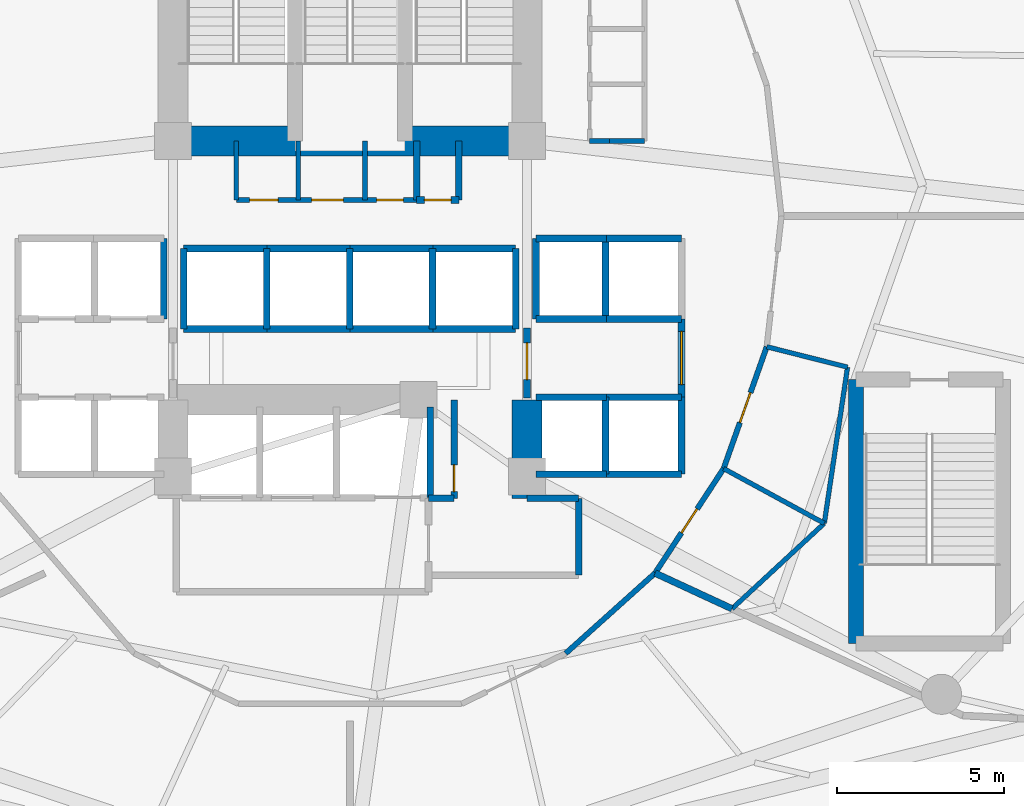
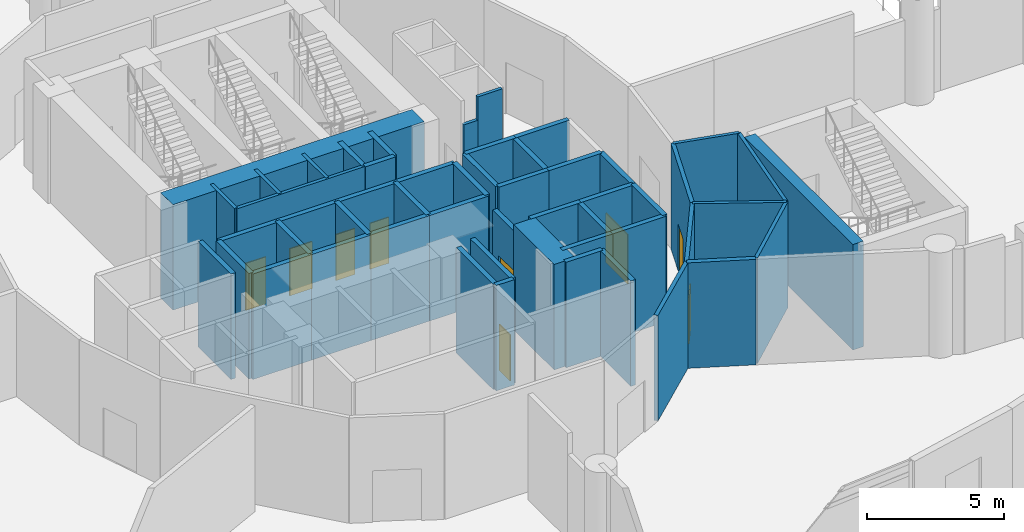
# One storey, part 27 of 37: 53 walls, 9 doors, 9 openings.
"""IFC4 building model written with IfcOpenShell, lengths in metres."""

from ifc_helpers import new_model, si_unit, direction, frame, frame_2d, origin, place, context, subcontext, project, spatial, rectangle, extrude, material, layer, layer_set, type_object, element, fill, save


model = new_model("IFC4")

# Units and contexts
model_context = context("Model", 3, precision=1e-05, world=origin(), true_north=direction((0.0, 1.0)))
body_context = subcontext(model_context, "Body", "Model", "MODEL_VIEW")
ifc_project = project(units=[si_unit("LENGTHUNIT", "METRE"), si_unit("AREAUNIT", "SQUARE_METRE"), si_unit("VOLUMEUNIT", "CUBIC_METRE"), si_unit("PLANEANGLEUNIT", "RADIAN"), si_unit("MASSUNIT", "GRAM", prefix="KILO")], contexts=[model_context])

# Site, building, storey
site_placement = place(None, origin())
site = spatial("IfcSite", under=ifc_project, at=site_placement, CompositionType="ELEMENT")
building_placement = place(site_placement, origin())
building = spatial("IfcBuilding", under=site, at=building_placement, Name="Nuhasar Tower", CompositionType="ELEMENT")
storey_placement = place(building_placement, frame((0.0, 0.0, 6.0)))
storey = spatial("IfcBuildingStorey", under=building, at=storey_placement, Name="L01", CompositionType="ELEMENT", Elevation=6.0)

# Walls
ifc_material_1 = material(Name="Concrete C50/60", Category="concrete")
ifc_layer_1 = layer(ifc_material_1, 0.449951171875)
ifc_layer_set_1 = layer_set([ifc_layer_1], Name="Concrete C50/60")
wall_type_1 = type_object("IfcWallType", Name="WL-CORE-450", PredefinedType="SHEAR", material=ifc_layer_set_1)
wall_1_placement = place(storey_placement, frame((54.14990234375, 14.0, 0.0), z_axis=(0.0, 0.0, 1.0), x_axis=(0.0, 1.0, 0.0)))
element("IfcWall", 1, at=wall_1_placement, inside=storey, type_object=wall_type_1, Name="L01 Stairwell Shear Wall ST-05-W", PredefinedType="SHEAR", context=body_context, shape_type="SweptSolid", body=[
    extrude(rectangle(XDim=7.89990234375, YDim=0.449951171875, at=frame_2d((3.949951171875, 0.0))), origin(), (0.0, 0.0, 1.0), 4.699951171875),
])
ifc_material_2 = material(Name="Concrete C80/95", Category="concrete")
ifc_layer_2 = layer(ifc_material_2, 0.89990234375)
ifc_layer_set_2 = layer_set([ifc_layer_2], Name="Concrete C80/95")
wall_type_2 = type_object("IfcWallType", Name="WL-CORE-900", PredefinedType="SHEAR", material=ifc_layer_set_2)
wall_2_placement = place(storey_placement, frame((44.300048828125, 18.35009765625, 0.0), z_axis=(0.0, 0.0, 1.0), x_axis=(0.0, 1.0, 0.0)))
element("IfcWall", 2, at=wall_2_placement, inside=storey, type_object=wall_type_2, Name="L01 Core Shear Wall CW-SE CW-900", PredefinedType="SHEAR", context=body_context, shape_type="SweptSolid", body=[
    extrude(rectangle(XDim=2.949951171875, YDim=0.89990234375, at=frame_2d((1.47509765625, 0.0))), origin(), (0.0, 0.0, 1.0), 4.699951171875),
])
wall_3_placement = place(storey_placement, frame((33.699951171875, 29.050048828125, 0.0), z_axis=(0.0, 0.0, 1.0), x_axis=(1.0, 0.0, 0.0)))
element("IfcWall", 3, at=wall_3_placement, inside=storey, type_object=wall_type_2, Name="L01 Core Shear Wall CW-N1 CW-900", PredefinedType="SHEAR", context=body_context, shape_type="SweptSolid", body=[
    extrude(rectangle(XDim=10.60009765625, YDim=0.89990234375, at=frame_2d((5.300048828125, 0.0))), origin(), (0.0, 0.0, 1.0), 4.699951171875),
])
ifc_material_3 = material(Name="Gypsum Board", Category="gypsum")
ifc_layer_3 = layer(ifc_material_3, 0.159912109375)
ifc_layer_set_3 = layer_set([ifc_layer_3], Name="Gypsum Board")
wall_type_3 = type_object("IfcWallType", Name="WL-CORR-160", PredefinedType="PARTITIONING", material=ifc_layer_set_3)
wall_4_placement = place(storey_placement, frame((45.4599609375, 13.7060546875, 0.0), z_axis=(0.0, 0.0, 1.0), x_axis=(0.744066617248, 0.668105432621, 0.0)))
element("IfcWall", 4, at=wall_4_placement, inside=storey, type_object=wall_type_3, Name="L01 Interior Partition CORR-40", PredefinedType="PARTITIONING", context=body_context, shape_type="SweptSolid", body=[
    extrude(rectangle(XDim=3.596435546875, YDim=0.159912109375, at=frame_2d((1.79833984375, 0.0))), origin(), (0.0, 0.0, 1.0), 4.699951171875),
])

# Wall, opening, door
wall_5_placement = place(storey_placement, frame((50.18896484375, 19.239990234375, 0.0), z_axis=(0.0, 0.0, 1.0), x_axis=(-0.548318837904, -0.836269365694, 0.0)))
wall_5 = element("IfcWall", 5, at=wall_5_placement, inside=storey, type_object=wall_type_3, Name="L01 Interior Partition CORR-42", PredefinedType="PARTITIONING", context=body_context, shape_type="SweptSolid", body=[
    extrude(rectangle(XDim=3.744140625, YDim=0.159912109375, at=frame_2d((1.8720703125, 0.0))), origin(), (0.0, 0.0, 1.0), 4.699951171875),
])
opening_1_placement = place(wall_5_placement, frame((1.447021484375, 0.0, 0.0)))
opening_1 = element("IfcOpeningElement", 6, at=opening_1_placement, cuts=wall_5, Name="Opening DB-01", PredefinedType="OPENING", context=body_context, shape_type="SweptSolid", body=[
    extrude(rectangle(XDim=0.85009765625, YDim=2.10009765625, at=frame_2d((0.425048828125, 1.050048828125))), frame((0.0, 0.08984375, 0.0), z_axis=(0.0, -1.0, 0.0), x_axis=(1.0, 0.0, 0.0)), (0.0, 0.0, 1.0), 0.179931640625),
])
ifc_material_4 = material(Name="Timber Oak", Category="wood")
door_type_1 = type_object("IfcDoorType", Name="DR-BATH-850", OperationType="NOTDEFINED", PredefinedType="DOOR", material=ifc_material_4)
door_1_placement = place(opening_1_placement, origin())
door_1 = element("IfcDoor", 7, at=door_1_placement, inside=storey, type_object=door_type_1, Name="L01 Galleria Restroom Door", OperationType="SINGLE_SWING_LEFT", OverallHeight=2.10009765625, OverallWidth=0.85009765625, PredefinedType="DOOR", context=body_context, shape_type="SweptSolid", body=[
    extrude(rectangle(XDim=0.85009765625, YDim=2.10009765625, at=frame_2d((0.425048828125, 1.050048828125))), frame((0.0, 0.02490234375, 0.0), z_axis=(0.0, -1.0, 0.0), x_axis=(1.0, 0.0, 0.0)), (0.0, 0.0, 1.0), 0.050048828125),
])
fill(opening_1, door_1)

wall_6_placement = place(storey_placement, frame((51.47998046875, 22.886962890625, 0.0), z_axis=(0.0, 0.0, 1.0), x_axis=(-0.333704620558, -0.942677689467, 0.0)))
wall_6 = element("IfcWall", 8, at=wall_6_placement, inside=storey, type_object=wall_type_3, Name="L01 Interior Partition CORR-44", PredefinedType="PARTITIONING", context=body_context, shape_type="SweptSolid", body=[
    extrude(rectangle(XDim=3.86865234375, YDim=0.159912109375, at=frame_2d((1.934326171875, 0.0))), origin(), (0.0, 0.0, 1.0), 4.699951171875),
])
opening_2_placement = place(wall_6_placement, frame((1.458984375, 0.0, 0.0)))
opening_2 = element("IfcOpeningElement", 9, at=opening_2_placement, cuts=wall_6, Name="Opening DA-01", PredefinedType="OPENING", context=body_context, shape_type="SweptSolid", body=[
    extrude(rectangle(XDim=0.949951171875, YDim=2.10009765625, at=frame_2d((0.47509765625, 1.050048828125))), frame((0.0, 0.08984375, 0.0), z_axis=(0.0, -1.0, 0.0), x_axis=(1.0, 0.0, 0.0)), (0.0, 0.0, 1.0), 0.179931640625),
])
door_type_2 = type_object("IfcDoorType", Name="DR-ACCWC-950", OperationType="NOTDEFINED", PredefinedType="DOOR", material=ifc_material_4)
door_2_placement = place(opening_2_placement, origin())
door_2 = element("IfcDoor", 10, at=door_2_placement, inside=storey, type_object=door_type_2, Name="L01 Galleria Accessible WC Door", OperationType="SINGLE_SWING_RIGHT", OverallHeight=2.10009765625, OverallWidth=0.949951171875, PredefinedType="DOOR", context=body_context, shape_type="SweptSolid", body=[
    extrude(rectangle(XDim=0.949951171875, YDim=2.10009765625, at=frame_2d((0.47509765625, 1.050048828125))), frame((0.0, 0.02490234375, 0.0), z_axis=(0.0, -1.0, 0.0), x_axis=(1.0, 0.0, 0.0)), (0.0, 0.0, 1.0), 0.050048828125),
])
fill(opening_2, door_2)

ifc_material_5 = material(Name="Concrete C45/55", Category="concrete")
ifc_layer_4 = layer(ifc_material_5, 0.199951171875)
ifc_layer_set_4 = layer_set([ifc_layer_4], Name="Concrete C45/55")
wall_type_4 = type_object("IfcWallType", Name="WL-LOBBY-200", PredefinedType="SOLIDWALL", material=ifc_layer_set_4)
wall_7_placement = place(storey_placement, frame((48.929931640625, 21.3798828125, 0.0), z_axis=(0.0, 0.0, 1.0), x_axis=(0.0, 1.0, 0.0)))
wall_7 = element("IfcWall", 11, at=wall_7_placement, inside=storey, type_object=wall_type_4, Name="L01 Interior Partition LLBM-E", PredefinedType="SOLIDWALL", context=body_context, shape_type="SweptSolid", body=[
    extrude(rectangle(XDim=2.340087890625, YDim=0.199951171875, at=frame_2d((1.169921875, 0.0))), origin(), (0.0, 0.0, 1.0), 4.699951171875),
])
opening_3_placement = place(wall_7_placement, frame((0.3701171875, 0.0, 0.0)))
opening_3 = element("IfcOpeningElement", 12, at=opening_3_placement, cuts=wall_7, Name="Opening DC-01", PredefinedType="OPENING", context=body_context, shape_type="SweptSolid", body=[
    extrude(rectangle(XDim=1.60009765625, YDim=2.199951171875, at=frame_2d((0.800048828125, 1.10009765625))), frame((0.0, 0.10986328125, 0.0), z_axis=(0.0, -1.0, 0.0), x_axis=(1.0, 0.0, 0.0)), (0.0, 0.0, 1.0), 0.219970703125),
])
ifc_material_6 = material(Name="Steel S355", Category="steel")
door_type_3 = type_object("IfcDoorType", Name="DR-CORR-FD60-1600", OperationType="DOUBLE_DOOR_SINGLE_SWING", PredefinedType="DOOR", material=ifc_material_6)
door_3_placement = place(opening_3_placement, origin())
door_3 = element("IfcDoor", 13, at=door_3_placement, inside=storey, type_object=door_type_3, Name="L01 Mid-Rise Lift Lobby East Entry", OperationType="DOUBLE_DOOR_SINGLE_SWING", OverallHeight=2.199951171875, OverallWidth=1.60009765625, PredefinedType="DOOR", context=body_context, shape_type="SweptSolid", body=[
    extrude(rectangle(XDim=1.60009765625, YDim=2.199951171875, at=frame_2d((0.800048828125, 1.10009765625))), frame((0.0, 0.02490234375, 0.0), z_axis=(0.0, -1.0, 0.0), x_axis=(1.0, 0.0, 0.0)), (0.0, 0.0, 1.0), 0.050048828125),
])
fill(opening_3, door_3)

wall_8_placement = place(storey_placement, frame((44.300048828125, 21.35009765625, 0.0), z_axis=(0.0, 0.0, 1.0), x_axis=(0.0, 1.0, 0.0)))
wall_8 = element("IfcWall", 14, at=wall_8_placement, inside=storey, type_object=wall_type_4, Name="L01 Interior Partition LLBH-E", PredefinedType="SOLIDWALL", context=body_context, shape_type="SweptSolid", body=[
    extrude(rectangle(XDim=2.099853515625, YDim=0.199951171875, at=frame_2d((1.0498046875, 0.0))), origin(), (0.0, 0.0, 1.0), 3.919921875),
])
opening_4_placement = place(wall_8_placement, frame((0.550048828125, 0.0, 0.0)))
opening_4 = element("IfcOpeningElement", 15, at=opening_4_placement, cuts=wall_8, Name="Opening DS-02", PredefinedType="OPENING", context=body_context, shape_type="SweptSolid", body=[
    extrude(rectangle(XDim=1.10009765625, YDim=2.14990234375, at=frame_2d((0.550048828125, 1.074951171875))), frame((0.0, 0.10986328125, 0.0), z_axis=(0.0, -1.0, 0.0), x_axis=(1.0, 0.0, 0.0)), (0.0, 0.0, 1.0), 0.219970703125),
])
door_type_4 = type_object("IfcDoorType", Name="DR-FFL-FD120-1100", OperationType="NOTDEFINED", PredefinedType="DOOR", material=ifc_material_6)
door_4_placement = place(opening_4_placement, origin())
door_4 = element("IfcDoor", 16, at=door_4_placement, inside=storey, type_object=door_type_4, Name="L01 High-Rise Lobby East Door", OperationType="SINGLE_SWING_RIGHT", OverallHeight=2.14990234375, OverallWidth=1.10009765625, PredefinedType="DOOR", context=body_context, shape_type="SweptSolid", body=[
    extrude(rectangle(XDim=1.10009765625, YDim=2.14990234375, at=frame_2d((0.550048828125, 1.074951171875))), frame((0.0, 0.02490234375, 0.0), z_axis=(0.0, -1.0, 0.0), x_axis=(1.0, 0.0, 0.0)), (0.0, 0.0, 1.0), 0.050048828125),
])
fill(opening_4, door_4)

# Walls
wall_9_placement = place(storey_placement, frame((45.85009765625, 16.050048828125, 0.0), z_axis=(0.0, 0.0, 1.0), x_axis=(0.0, 1.0, 0.0)))
element("IfcWall", 17, at=wall_9_placement, inside=storey, type_object=wall_type_4, Name="L01 Interior Partition SVLV-E", PredefinedType="SOLIDWALL", context=body_context, shape_type="SweptSolid", body=[
    extrude(rectangle(XDim=2.300048828125, YDim=0.199951171875, at=frame_2d((1.14990234375, 0.0))), origin(), (0.0, 0.0, 1.0), 4.699951171875),
])
wall_10_placement = place(storey_placement, frame((44.300048828125, 18.35009765625, 0.0), z_axis=(0.0, 0.0, 1.0), x_axis=(1.0, 0.0, 0.0)))
element("IfcWall", 18, at=wall_10_placement, inside=storey, type_object=wall_type_4, Name="L01 Interior Partition SVLV-N", PredefinedType="SOLIDWALL", context=body_context, shape_type="SweptSolid", body=[
    extrude(rectangle(XDim=1.550048828125, YDim=0.199951171875, at=frame_2d((0.77490234375, 0.0))), origin(), (0.0, 0.0, 1.0), 4.699951171875),
])
ifc_layer_5 = layer(ifc_material_5, 0.199951171875)
ifc_layer_set_5 = layer_set([ifc_layer_5], Name="Concrete C45/55")
wall_type_5 = type_object("IfcWallType", Name="WL-SHAFT-200", PredefinedType="SOLIDWALL", material=ifc_layer_set_5)
for number, where, z_axis, x_axis, name in (
    (19, (41.0, 27.280029296875, 0.0), (0.0, 0.0, 1.0), (0.0, 1.0, 0.0), "L01 Interior Partition RSRN-W"),
    (20, (42.260009765625, 27.280029296875, 0.0), (0.0, 0.0, 1.0), (0.0, 1.0, 0.0), "L01 Interior Partition RSRN-E"),
):
    element("IfcWall", number, at=place(storey_placement, frame(where, z_axis=z_axis, x_axis=x_axis)), inside=storey, type_object=wall_type_5, Name=name, PredefinedType="SOLIDWALL", context=body_context, shape_type="SweptSolid", body=[
        extrude(rectangle(XDim=1.77001953125, YDim=0.199951171875, at=frame_2d((0.885009765625, 0.0))), origin(), (0.0, 0.0, 1.0), 4.699951171875),
    ])

# Wall, opening, door
wall_11_placement = place(storey_placement, frame((41.0, 27.280029296875, 0.0), z_axis=(0.0, 0.0, 1.0), x_axis=(1.0, 0.0, 0.0)))
wall_11 = element("IfcWall", 21, at=wall_11_placement, inside=storey, type_object=wall_type_5, Name="L01 Interior Partition RSRN-S", PredefinedType="SOLIDWALL", context=body_context, shape_type="SweptSolid", body=[
    extrude(rectangle(XDim=1.260009765625, YDim=0.199951171875, at=frame_2d((0.6298828125, 0.0))), origin(), (0.0, 0.0, 1.0), 4.699951171875),
])
opening_5_placement = place(wall_11_placement, frame((0.22998046875, 0.0, 0.0)))
opening_5 = element("IfcOpeningElement", 22, at=opening_5_placement, cuts=wall_11, Name="Opening DM-01", PredefinedType="OPENING", context=body_context, shape_type="SweptSolid", body=[
    extrude(rectangle(XDim=0.800048828125, YDim=2.050048828125, at=frame_2d((0.39990234375, 1.02490234375))), frame((0.0, 0.10986328125, 0.0), z_axis=(0.0, -1.0, 0.0), x_axis=(1.0, 0.0, 0.0)), (0.0, 0.0, 1.0), 0.219970703125),
])
door_type_5 = type_object("IfcDoorType", Name="DR-RISER-FD60-800", OperationType="NOTDEFINED", PredefinedType="DOOR", material=ifc_material_6)
door_5_placement = place(opening_5_placement, origin())
door_5 = element("IfcDoor", 23, at=door_5_placement, inside=storey, type_object=door_type_5, Name="L01 North Smoke Riser Door", OperationType="SINGLE_SWING_RIGHT", OverallHeight=2.050048828125, OverallWidth=0.800048828125, PredefinedType="DOOR", context=body_context, shape_type="SweptSolid", body=[
    extrude(rectangle(XDim=0.800048828125, YDim=2.050048828125, at=frame_2d((0.39990234375, 1.02490234375))), frame((0.0, 0.02490234375, 0.0), z_axis=(0.0, -1.0, 0.0), x_axis=(1.0, 0.0, 0.0)), (0.0, 0.0, 1.0), 0.050048828125),
])
fill(opening_5, door_5)

# Walls
wall_12_placement = place(storey_placement, frame((33.429931640625, 23.719970703125, 0.0), z_axis=(0.0, 0.0, 1.0), x_axis=(0.0, 1.0, 0.0)))
element("IfcWall", 24, at=wall_12_placement, inside=storey, type_object=wall_type_5, Name="L01 Interior Partition SHF-PL-L02-E", PredefinedType="SOLIDWALL", context=body_context, shape_type="SweptSolid", body=[
    extrude(rectangle(XDim=2.409912109375, YDim=0.199951171875, at=frame_2d((1.205078125, 0.0))), origin(), (0.0, 0.0, 1.0), 4.699951171875),
])
for number, where, z_axis, x_axis, name in (
    (25, (44.570068359375, 23.719970703125, 0.0), (0.0, 0.0, 1.0), (1.0, 0.0, 0.0), "L01 Interior Partition SHF-PL-M01-S"),
    (26, (44.570068359375, 26.1298828125, 0.0), (0.0, 0.0, 1.0), (1.0, 0.0, 0.0), "L01 Interior Partition SHF-PL-M01-N"),
):
    element("IfcWall", number, at=place(storey_placement, frame(where, z_axis=z_axis, x_axis=x_axis)), inside=storey, type_object=wall_type_5, Name=name, PredefinedType="SOLIDWALL", context=body_context, shape_type="SweptSolid", body=[
        extrude(rectangle(XDim=2.10986328125, YDim=0.199951171875, at=frame_2d((1.054931640625, 0.0))), origin(), (0.0, 0.0, 1.0), 4.699951171875),
    ])
for number, where, z_axis, x_axis, name in (
    (27, (44.570068359375, 23.719970703125, 0.0), (0.0, 0.0, 1.0), (0.0, 1.0, 0.0), "L01 Interior Partition SHF-PL-M01-W"),
    (28, (46.64990234375, 23.719970703125, 0.0), (0.0, 0.0, 1.0), (0.0, 1.0, 0.0), "L01 Interior Partition SHF-PL-M01-E"),
):
    element("IfcWall", number, at=place(storey_placement, frame(where, z_axis=z_axis, x_axis=x_axis)), inside=storey, type_object=wall_type_5, Name=name, PredefinedType="SOLIDWALL", context=body_context, shape_type="SweptSolid", body=[
        extrude(rectangle(XDim=2.409912109375, YDim=0.199951171875, at=frame_2d((1.205078125, 0.0))), origin(), (0.0, 0.0, 1.0), 4.699951171875),
    ])
for number, where, z_axis, x_axis, name in (
    (29, (46.6201171875, 23.719970703125, 0.0), (0.0, 0.0, 1.0), (1.0, 0.0, 0.0), "L01 Interior Partition SHF-PL-M02-S"),
    (30, (46.6201171875, 26.1298828125, 0.0), (0.0, 0.0, 1.0), (1.0, 0.0, 0.0), "L01 Interior Partition SHF-PL-M02-N"),
):
    element("IfcWall", number, at=place(storey_placement, frame(where, z_axis=z_axis, x_axis=x_axis)), inside=storey, type_object=wall_type_5, Name=name, PredefinedType="SOLIDWALL", context=body_context, shape_type="SweptSolid", body=[
        extrude(rectangle(XDim=2.309814453125, YDim=0.199951171875, at=frame_2d((1.15478515625, 0.0))), origin(), (0.0, 0.0, 1.0), 4.699951171875),
    ])
for number, where, z_axis, x_axis, name in (
    (31, (44.570068359375, 19.070068359375, 0.0), (0.0, 0.0, 1.0), (1.0, 0.0, 0.0), "L01 Interior Partition SHF-PL-M03-S"),
    (32, (44.570068359375, 21.3798828125, 0.0), (0.0, 0.0, 1.0), (1.0, 0.0, 0.0), "L01 Interior Partition SHF-PL-M03-N"),
):
    element("IfcWall", number, at=place(storey_placement, frame(where, z_axis=z_axis, x_axis=x_axis)), inside=storey, type_object=wall_type_5, Name=name, PredefinedType="SOLIDWALL", context=body_context, shape_type="SweptSolid", body=[
        extrude(rectangle(XDim=2.10986328125, YDim=0.199951171875, at=frame_2d((1.054931640625, 0.0))), origin(), (0.0, 0.0, 1.0), 4.699951171875),
    ])
for number, where, z_axis, x_axis, name in (
    (33, (46.64990234375, 19.070068359375, 0.0), (0.0, 0.0, 1.0), (0.0, 1.0, 0.0), "L01 Interior Partition SHF-PL-M03-E"),
    (34, (46.6201171875, 19.070068359375, 0.0), (0.0, 0.0, 1.0), (1.0, 0.0, 0.0), "L01 Interior Partition SHF-PL-M04-S"),
    (35, (46.6201171875, 21.3798828125, 0.0), (0.0, 0.0, 1.0), (1.0, 0.0, 0.0), "L01 Interior Partition SHF-PL-M04-N"),
    (36, (48.929931640625, 19.070068359375, 0.0), (0.0, 0.0, 1.0), (0.0, 1.0, 0.0), "L01 Interior Partition SHF-PL-M04-E"),
):
    element("IfcWall", number, at=place(storey_placement, frame(where, z_axis=z_axis, x_axis=x_axis)), inside=storey, type_object=wall_type_5, Name=name, PredefinedType="SOLIDWALL", context=body_context, shape_type="SweptSolid", body=[
        extrude(rectangle(XDim=2.309814453125, YDim=0.199951171875, at=frame_2d((1.15478515625, 0.0))), origin(), (0.0, 0.0, 1.0), 4.699951171875),
    ])
for number, where, z_axis, x_axis, name in (
    (37, (34.02001953125, 23.419921875, 0.0), (0.0, 0.0, 1.0), (1.0, 0.0, 0.0), "L01 Interior Partition SHF-PL-H01-S"),
    (38, (34.02001953125, 25.830078125, 0.0), (0.0, 0.0, 1.0), (1.0, 0.0, 0.0), "L01 Interior Partition SHF-PL-H01-N"),
):
    element("IfcWall", number, at=place(storey_placement, frame(where, z_axis=z_axis, x_axis=x_axis)), inside=storey, type_object=wall_type_5, Name=name, PredefinedType="SOLIDWALL", context=body_context, shape_type="SweptSolid", body=[
        extrude(rectangle(XDim=2.5, YDim=0.199951171875, at=frame_2d((1.25, 0.0))), origin(), (0.0, 0.0, 1.0), 4.699951171875),
    ])
for number, where, z_axis, x_axis, name in (
    (39, (34.02001953125, 23.419921875, 0.0), (0.0, 0.0, 1.0), (0.0, 1.0, 0.0), "L01 Interior Partition SHF-PL-H01-W"),
    (40, (36.510009765625, 23.419921875, 0.0), (0.0, 0.0, 1.0), (0.0, 1.0, 0.0), "L01 Interior Partition SHF-PL-H01-E"),
):
    element("IfcWall", number, at=place(storey_placement, frame(where, z_axis=z_axis, x_axis=x_axis)), inside=storey, type_object=wall_type_5, Name=name, PredefinedType="SOLIDWALL", context=body_context, shape_type="SweptSolid", body=[
        extrude(rectangle(XDim=2.41015625, YDim=0.199951171875, at=frame_2d((1.205078125, 0.0))), origin(), (0.0, 0.0, 1.0), 4.699951171875),
    ])
for number, where, z_axis, x_axis, name in (
    (41, (36.5, 23.419921875, 0.0), (0.0, 0.0, 1.0), (1.0, 0.0, 0.0), "L01 Interior Partition SHF-PL-H02-S"),
    (42, (36.5, 25.830078125, 0.0), (0.0, 0.0, 1.0), (1.0, 0.0, 0.0), "L01 Interior Partition SHF-PL-H02-N"),
):
    element("IfcWall", number, at=place(storey_placement, frame(where, z_axis=z_axis, x_axis=x_axis)), inside=storey, type_object=wall_type_5, Name=name, PredefinedType="SOLIDWALL", context=body_context, shape_type="SweptSolid", body=[
        extrude(rectangle(XDim=2.5, YDim=0.199951171875, at=frame_2d((1.25, 0.0))), origin(), (0.0, 0.0, 1.0), 4.699951171875),
    ])
wall_13_placement = place(storey_placement, frame((38.989990234375, 23.419921875, 0.0), z_axis=(0.0, 0.0, 1.0), x_axis=(0.0, 1.0, 0.0)))
element("IfcWall", 43, at=wall_13_placement, inside=storey, type_object=wall_type_5, Name="L01 Interior Partition SHF-PL-H02-E", PredefinedType="SOLIDWALL", context=body_context, shape_type="SweptSolid", body=[
    extrude(rectangle(XDim=2.41015625, YDim=0.199951171875, at=frame_2d((1.205078125, 0.0))), origin(), (0.0, 0.0, 1.0), 4.699951171875),
])
for number, where, z_axis, x_axis, name in (
    (44, (38.97998046875, 23.419921875, 0.0), (0.0, 0.0, 1.0), (1.0, 0.0, 0.0), "L01 Interior Partition SHF-PL-H03-S"),
    (45, (38.97998046875, 25.830078125, 0.0), (0.0, 0.0, 1.0), (1.0, 0.0, 0.0), "L01 Interior Partition SHF-PL-H03-N"),
):
    element("IfcWall", number, at=place(storey_placement, frame(where, z_axis=z_axis, x_axis=x_axis)), inside=storey, type_object=wall_type_5, Name=name, PredefinedType="SOLIDWALL", context=body_context, shape_type="SweptSolid", body=[
        extrude(rectangle(XDim=2.5, YDim=0.199951171875, at=frame_2d((1.25, 0.0))), origin(), (0.0, 0.0, 1.0), 4.699951171875),
    ])
wall_14_placement = place(storey_placement, frame((41.469970703125, 23.419921875, 0.0), z_axis=(0.0, 0.0, 1.0), x_axis=(0.0, 1.0, 0.0)))
element("IfcWall", 46, at=wall_14_placement, inside=storey, type_object=wall_type_5, Name="L01 Interior Partition SHF-PL-H03-E", PredefinedType="SOLIDWALL", context=body_context, shape_type="SweptSolid", body=[
    extrude(rectangle(XDim=2.41015625, YDim=0.199951171875, at=frame_2d((1.205078125, 0.0))), origin(), (0.0, 0.0, 1.0), 4.699951171875),
])
for number, where, z_axis, x_axis, name in (
    (47, (41.4599609375, 23.419921875, 0.0), (0.0, 0.0, 1.0), (1.0, 0.0, 0.0), "L01 Interior Partition SHF-PL-H04-S"),
    (48, (41.4599609375, 25.830078125, 0.0), (0.0, 0.0, 1.0), (1.0, 0.0, 0.0), "L01 Interior Partition SHF-PL-H04-N"),
):
    element("IfcWall", number, at=place(storey_placement, frame(where, z_axis=z_axis, x_axis=x_axis)), inside=storey, type_object=wall_type_5, Name=name, PredefinedType="SOLIDWALL", context=body_context, shape_type="SweptSolid", body=[
        extrude(rectangle(XDim=2.5, YDim=0.199951171875, at=frame_2d((1.25, 0.0))), origin(), (0.0, 0.0, 1.0), 4.699951171875),
    ])
wall_15_placement = place(storey_placement, frame((43.9599609375, 23.419921875, 0.0), z_axis=(0.0, 0.0, 1.0), x_axis=(0.0, 1.0, 0.0)))
element("IfcWall", 49, at=wall_15_placement, inside=storey, type_object=wall_type_5, Name="L01 Interior Partition SHF-PL-H04-E", PredefinedType="SOLIDWALL", context=body_context, shape_type="SweptSolid", body=[
    extrude(rectangle(XDim=2.41015625, YDim=0.199951171875, at=frame_2d((1.205078125, 0.0))), origin(), (0.0, 0.0, 1.0), 4.699951171875),
])
wall_16_placement = place(storey_placement, frame((41.39990234375, 18.3701171875, 0.0), z_axis=(0.0, 0.0, 1.0), x_axis=(0.0, 1.0, 0.0)))
element("IfcWall", 50, at=wall_16_placement, inside=storey, type_object=wall_type_5, Name="L01 Interior Partition SHF-SVL-01-E", PredefinedType="SOLIDWALL", context=body_context, shape_type="SweptSolid", body=[
    extrude(rectangle(XDim=2.7099609375, YDim=0.199951171875, at=frame_2d((1.35498046875, 0.0))), origin(), (0.0, 0.0, 1.0), 4.699951171875),
])

# Wall, opening, door
wall_17_placement = place(storey_placement, frame((42.1201171875, 18.35009765625, 0.0), z_axis=(0.0, 0.0, 1.0), x_axis=(0.0, 1.0, 0.0)))
wall_17 = element("IfcWall", 51, at=wall_17_placement, inside=storey, type_object=wall_type_5, Name="L01 Interior Partition RSR-E", PredefinedType="SOLIDWALL", context=body_context, shape_type="SweptSolid", body=[
    extrude(rectangle(XDim=2.949951171875, YDim=0.199951171875, at=frame_2d((1.47509765625, 0.0))), origin(), (0.0, 0.0, 1.0), 4.699951171875),
])
opening_6_placement = place(wall_17_placement, frame((0.199951171875, 0.0, 0.0)))
opening_6 = element("IfcOpeningElement", 52, at=opening_6_placement, cuts=wall_17, Name="Opening DM-01", PredefinedType="OPENING", context=body_context, shape_type="SweptSolid", body=[
    extrude(rectangle(XDim=0.800048828125, YDim=2.050048828125, at=frame_2d((0.39990234375, 1.02490234375))), frame((0.0, 0.10986328125, 0.0), z_axis=(0.0, -1.0, 0.0), x_axis=(1.0, 0.0, 0.0)), (0.0, 0.0, 1.0), 0.219970703125),
])
door_6_placement = place(opening_6_placement, origin())
door_6 = element("IfcDoor", 53, at=door_6_placement, inside=storey, type_object=door_type_5, Name="L01 MEP Riser Access Door", OperationType="SINGLE_SWING_LEFT", OverallHeight=2.050048828125, OverallWidth=0.800048828125, PredefinedType="DOOR", context=body_context, shape_type="SweptSolid", body=[
    extrude(rectangle(XDim=0.800048828125, YDim=2.050048828125, at=frame_2d((0.39990234375, 1.02490234375))), frame((0.0, 0.02490234375, 0.0), z_axis=(0.0, -1.0, 0.0), x_axis=(1.0, 0.0, 0.0)), (0.0, 0.0, 1.0), 0.050048828125),
])
fill(opening_6, door_6)

# Walls
wall_18_placement = place(storey_placement, frame((41.35009765625, 18.35009765625, 0.0), z_axis=(0.0, 0.0, 1.0), x_axis=(1.0, 0.0, 0.0)))
element("IfcWall", 54, at=wall_18_placement, inside=storey, type_object=wall_type_5, Name="L01 Interior Partition RSR-S", PredefinedType="SOLIDWALL", context=body_context, shape_type="SweptSolid", body=[
    extrude(rectangle(XDim=0.77001953125, YDim=0.199951171875, at=frame_2d((0.385009765625, 0.0))), origin(), (0.0, 0.0, 1.0), 4.699951171875),
])
ifc_material_7 = material(Name="Concrete C40/50 precast", Category="concrete")
ifc_layer_6 = layer(ifc_material_7, 0.199951171875)
ifc_layer_set_6 = layer_set([ifc_layer_6], Name="Concrete C40/50 precast")
wall_type_6 = type_object("IfcWallType", Name="WL-UNIT-200", PredefinedType="PARTITIONING", material=ifc_layer_set_6)
wall_19_placement = place(storey_placement, frame((48.135986328125, 16.10888671875, 0.0), z_axis=(0.0, 0.0, 1.0), x_axis=(0.907508335547, -0.420034071133, 0.0)))
element("IfcWall", 55, at=wall_19_placement, inside=storey, type_object=wall_type_6, Name="L01 Interior Partition PRAD-42-S1", PredefinedType="PARTITIONING", context=body_context, shape_type="SweptSolid", body=[
    extrude(rectangle(XDim=2.53759765625, YDim=0.199951171875, at=frame_2d((1.268798828125, 0.0))), origin(), (0.0, 0.0, 1.0), 4.699951171875),
])
ifc_layer_7 = layer(ifc_material_7, 0.139892578125)
ifc_layer_set_7 = layer_set([ifc_layer_7], Name="Concrete C40/50 precast")
wall_type_7 = type_object("IfcWallType", Name="WL-WET-140", PredefinedType="PARTITIONING", material=ifc_layer_set_7)
wall_20_placement = place(storey_placement, frame((35.60009765625, 27.280029296875, 0.0), z_axis=(0.0, 0.0, 1.0), x_axis=(0.0, 1.0, 0.0)))
element("IfcWall", 56, at=wall_20_placement, inside=storey, type_object=wall_type_7, Name="L01 Interior Partition CSVC-W", PredefinedType="PARTITIONING", context=body_context, shape_type="SweptSolid", body=[
    extrude(rectangle(XDim=1.77001953125, YDim=0.139892578125, at=frame_2d((0.885009765625, 0.0))), origin(), (0.0, 0.0, 1.0), 4.699951171875),
])

# Wall, openings, doors
wall_21_placement = place(storey_placement, frame((35.60009765625, 27.280029296875, 0.0), z_axis=(0.0, 0.0, 1.0), x_axis=(1.0, 0.0, 0.0)))
wall_21 = element("IfcWall", 57, at=wall_21_placement, inside=storey, type_object=wall_type_7, Name="L01 Interior Partition CSVC-S", PredefinedType="PARTITIONING", context=body_context, shape_type="SweptSolid", body=[
    extrude(rectangle(XDim=5.39990234375, YDim=0.139892578125, at=frame_2d((2.699951171875, 0.0))), origin(), (0.0, 0.0, 1.0), 4.699951171875),
])
opening_7_placement = place(wall_21_placement, frame((0.39990234375, 0.0, 0.0)))
opening_7 = element("IfcOpeningElement", 58, at=opening_7_placement, cuts=wall_21, Name="Opening DB-01", PredefinedType="OPENING", context=body_context, shape_type="SweptSolid", body=[
    extrude(rectangle(XDim=0.85009765625, YDim=2.10009765625, at=frame_2d((0.425048828125, 1.050048828125))), frame((0.0, 0.080078125, 0.0), z_axis=(0.0, -1.0, 0.0), x_axis=(1.0, 0.0, 0.0)), (0.0, 0.0, 1.0), 0.159912109375),
])
opening_8_placement = place(wall_21_placement, frame((2.25, 0.0, 0.0)))
opening_8 = element("IfcOpeningElement", 59, at=opening_8_placement, cuts=wall_21, Name="Opening DA-01", PredefinedType="OPENING", context=body_context, shape_type="SweptSolid", body=[
    extrude(rectangle(XDim=0.949951171875, YDim=2.10009765625, at=frame_2d((0.47509765625, 1.050048828125))), frame((0.0, 0.080078125, 0.0), z_axis=(0.0, -1.0, 0.0), x_axis=(1.0, 0.0, 0.0)), (0.0, 0.0, 1.0), 0.159912109375),
])
opening_9_placement = place(wall_21_placement, frame((4.199951171875, 0.0, 0.0)))
opening_9 = element("IfcOpeningElement", 60, at=opening_9_placement, cuts=wall_21, Name="Opening DM-01", PredefinedType="OPENING", context=body_context, shape_type="SweptSolid", body=[
    extrude(rectangle(XDim=0.800048828125, YDim=2.050048828125, at=frame_2d((0.39990234375, 1.02490234375))), frame((0.0, 0.080078125, 0.0), z_axis=(0.0, -1.0, 0.0), x_axis=(1.0, 0.0, 0.0)), (0.0, 0.0, 1.0), 0.159912109375),
])
door_7_placement = place(opening_8_placement, origin())
door_7 = element("IfcDoor", 61, at=door_7_placement, inside=storey, type_object=door_type_2, Name="L01 Core Accessible WC Door", OperationType="SINGLE_SWING_RIGHT", OverallHeight=2.10009765625, OverallWidth=0.949951171875, PredefinedType="DOOR", context=body_context, shape_type="SweptSolid", body=[
    extrude(rectangle(XDim=0.949951171875, YDim=2.10009765625, at=frame_2d((0.47509765625, 1.050048828125))), frame((0.0, 0.02490234375, 0.0), z_axis=(0.0, -1.0, 0.0), x_axis=(1.0, 0.0, 0.0)), (0.0, 0.0, 1.0), 0.050048828125),
])
fill(opening_8, door_7)
door_8_placement = place(opening_7_placement, origin())
door_8 = element("IfcDoor", 62, at=door_8_placement, inside=storey, type_object=door_type_1, Name="L01 Core Male WC Door", OperationType="SINGLE_SWING_LEFT", OverallHeight=2.10009765625, OverallWidth=0.85009765625, PredefinedType="DOOR", context=body_context, shape_type="SweptSolid", body=[
    extrude(rectangle(XDim=0.85009765625, YDim=2.10009765625, at=frame_2d((0.425048828125, 1.050048828125))), frame((0.0, 0.02490234375, 0.0), z_axis=(0.0, -1.0, 0.0), x_axis=(1.0, 0.0, 0.0)), (0.0, 0.0, 1.0), 0.050048828125),
])
fill(opening_7, door_8)
door_9_placement = place(opening_9_placement, origin())
door_9 = element("IfcDoor", 63, at=door_9_placement, inside=storey, type_object=door_type_5, Name="L01 Core Janitor Door", OperationType="SINGLE_SWING_RIGHT", OverallHeight=2.050048828125, OverallWidth=0.800048828125, PredefinedType="DOOR", context=body_context, shape_type="SweptSolid", body=[
    extrude(rectangle(XDim=0.800048828125, YDim=2.050048828125, at=frame_2d((0.39990234375, 1.02490234375))), frame((0.0, 0.02490234375, 0.0), z_axis=(0.0, -1.0, 0.0), x_axis=(1.0, 0.0, 0.0)), (0.0, 0.0, 1.0), 0.050048828125),
])
fill(opening_9, door_9)

# Walls
for number, where, z_axis, x_axis, name in (
    (64, (37.449951171875, 27.280029296875, 0.0), (0.0, 0.0, 1.0), (0.0, 1.0, 0.0), "L01 Interior Partition K1-P1"),
    (65, (39.449951171875, 27.280029296875, 0.0), (0.0, 0.0, 1.0), (0.0, 1.0, 0.0), "L01 Interior Partition K1-P2"),
):
    element("IfcWall", number, at=place(storey_placement, frame(where, z_axis=z_axis, x_axis=x_axis)), inside=storey, type_object=wall_type_7, Name=name, PredefinedType="PARTITIONING", context=body_context, shape_type="SweptSolid", body=[
        extrude(rectangle(XDim=1.77001953125, YDim=0.139892578125, at=frame_2d((0.885009765625, 0.0))), origin(), (0.0, 0.0, 1.0), 4.699951171875),
    ])
wall_22_placement = place(storey_placement, frame((46.179931640625, 29.050048828125, 0.0), z_axis=(0.0, 0.0, 1.0), x_axis=(1.0, 0.0, 0.0)))
element("IfcWall", 66, at=wall_22_placement, inside=storey, type_object=wall_type_7, Name="L01 Interior Partition K1-NE-S", PredefinedType="PARTITIONING", context=body_context, shape_type="SweptSolid", body=[
    extrude(rectangle(XDim=0.590087890625, YDim=0.139892578125, at=frame_2d((0.294921875, 0.0))), origin(), (0.0, 0.0, 1.0), 3.659912109375),
])
wall_23_placement = place(storey_placement, frame((46.77001953125, 29.050048828125, 0.0), z_axis=(0.0, 0.0, 1.0), x_axis=(1.0, 0.0, 0.0)))
element("IfcWall", 67, at=wall_23_placement, inside=storey, type_object=wall_type_7, Name="L01 Interior Partition K1-NE-S", PredefinedType="PARTITIONING", context=body_context, shape_type="SweptSolid", body=[
    extrude(rectangle(XDim=1.050048828125, YDim=0.139892578125, at=frame_2d((0.52490234375, 0.0))), origin(), (0.0, 0.0, 1.0), 4.699951171875),
])
wall_24_placement = place(storey_placement, frame((50.18896484375, 19.239990234375, 0.0), z_axis=(0.0, 0.0, 1.0), x_axis=(0.878392721738, -0.477939563541, 0.0)))
element("IfcWall", 68, at=wall_24_placement, inside=storey, type_object=wall_type_7, Name="L01 Interior Partition PWC-DIV1", PredefinedType="PARTITIONING", context=body_context, shape_type="SweptSolid", body=[
    extrude(rectangle(XDim=3.43115234375, YDim=0.139892578125, at=frame_2d((1.715576171875, 0.0))), origin(), (0.0, 0.0, 1.0), 4.699951171875),
])
wall_25_placement = place(storey_placement, frame((51.47998046875, 22.886962890625, 0.0), z_axis=(0.0, 0.0, 1.0), x_axis=(0.969564374521, -0.244836524357, 0.0)))
element("IfcWall", 69, at=wall_25_placement, inside=storey, type_object=wall_type_7, Name="L01 Interior Partition PWC-DIV2", PredefinedType="PARTITIONING", context=body_context, shape_type="SweptSolid", body=[
    extrude(rectangle(XDim=2.495849609375, YDim=0.139892578125, at=frame_2d((1.248046875, 0.0))), origin(), (0.0, 0.0, 1.0), 4.699951171875),
])
wall_26_placement = place(storey_placement, frame((50.43896484375, 15.04296875, 0.0), z_axis=(0.0, 0.0, 1.0), x_axis=(0.734032370371, 0.679114481695, 0.0)))
element("IfcWall", 70, at=wall_26_placement, inside=storey, type_object=wall_type_7, Name="L01 Interior Partition PWC-BACK-42", PredefinedType="PARTITIONING", context=body_context, shape_type="SweptSolid", body=[
    extrude(rectangle(XDim=3.765380859375, YDim=0.139892578125, at=frame_2d((1.8828125, 0.0))), origin(), (0.0, 0.0, 1.0), 4.699951171875),
])
wall_27_placement = place(storey_placement, frame((53.202880859375, 17.60009765625, 0.0), z_axis=(0.0, 0.0, 1.0), x_axis=(0.147441370436, 0.989070797407, 0.0)))
element("IfcWall", 71, at=wall_27_placement, inside=storey, type_object=wall_type_7, Name="L01 Interior Partition PWC-BACK-44", PredefinedType="PARTITIONING", context=body_context, shape_type="SweptSolid", body=[
    extrude(rectangle(XDim=4.7275390625, YDim=0.139892578125, at=frame_2d((2.36376953125, 0.0))), origin(), (0.0, 0.0, 1.0), 4.699951171875),
])

save(model, "model.ifc")
